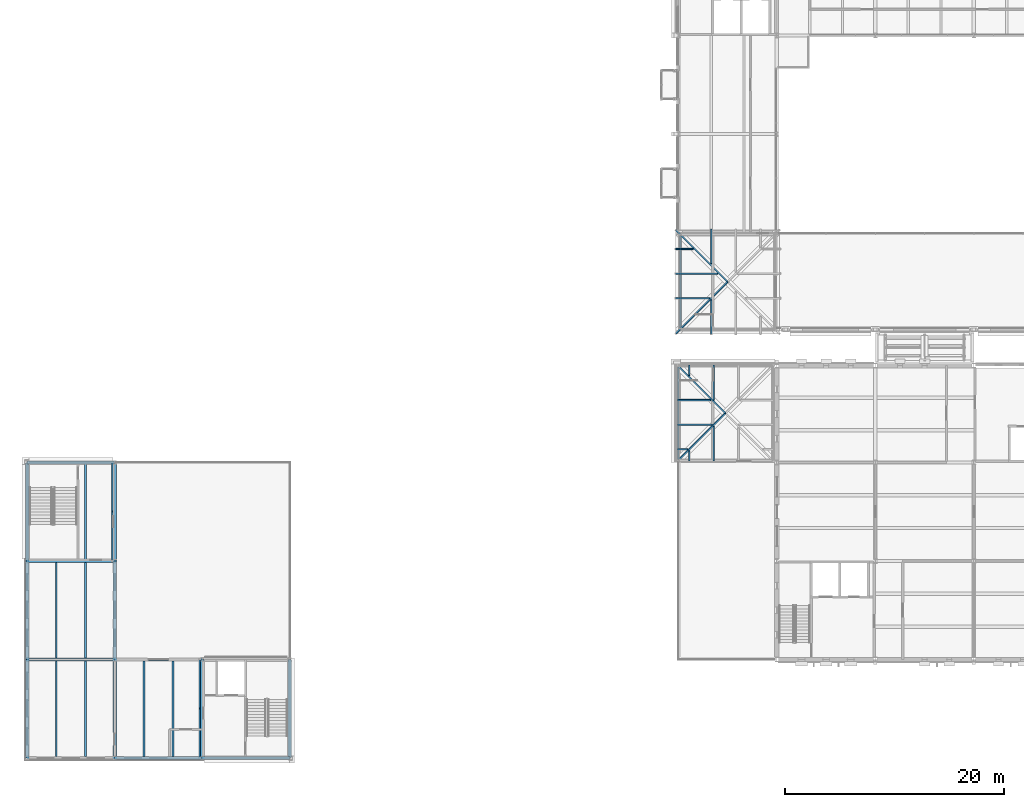
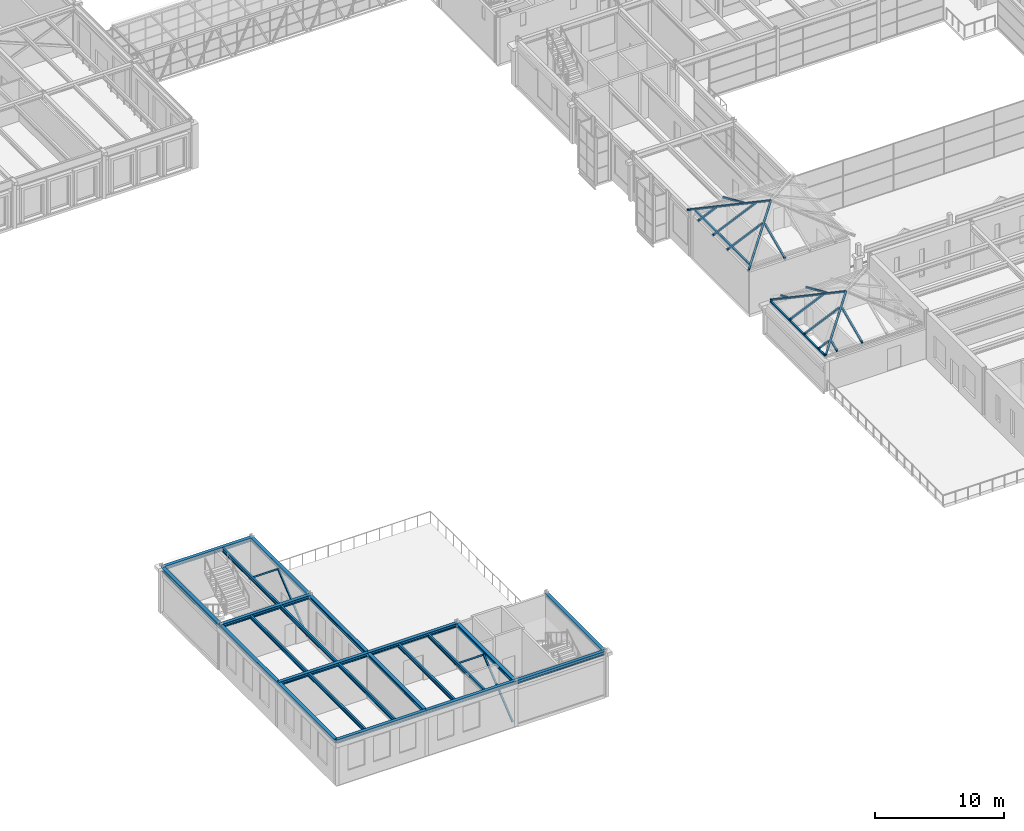
# One storey, part 14 of 149: 22 beams, 22 members.
"""IFC4 building model written with IfcOpenShell, lengths in metres."""

import ifcopenshell
import ifcopenshell.guid

model = None  # the IFC model being written
_history = None  # IfcOwnerHistory: only IFC2X3 demands one
_inside = {}  # id of a spatial element -> (the spatial element, [elements in it])
_under = {}  # id of a project, library or spatial element -> (it, [spatial elements below it])
_declared = {}  # id of a project -> (the project, [libraries it declares])
_typed = {}  # id of a type object -> (the type object, [elements of that type])
_made_of = {}  # id of a material, layer set ... -> (it, [elements and type objects made of it])


def new_model(schema):
    """Start an empty IFC model of exactly this schema.

    Asked for "IFC4X3", IfcOpenShell would pick the latest addendum, in which some entities
    have other attributes; the version numbers below select the first issue.
    IFC2X3 requires an IfcOwnerHistory on every rooted entity: one is made here for all.
    """
    global model, _history
    if schema == "IFC4X3":
        model = ifcopenshell.file(schema_version=(4, 3, 0, 0))
    else:
        model = ifcopenshell.file(schema=schema)
    _inside.clear()
    _under.clear()
    _declared.clear()
    _typed.clear()
    _made_of.clear()
    _history = None
    if model.schema == "IFC2X3":
        org = make("IfcOrganization", Name="unknown")
        user = make(
            "IfcPersonAndOrganization",
            ThePerson=make("IfcPerson", FamilyName="unknown"),
            TheOrganization=org,
        )
        app = make(
            "IfcApplication",
            ApplicationDeveloper=org,
            Version="unknown",
            ApplicationFullName="unknown",
            ApplicationIdentifier="unknown",
        )
        _history = make(
            "IfcOwnerHistory",
            OwningUser=user,
            OwningApplication=app,
            ChangeAction="ADDED",
            CreationDate=0,
        )
    return model


def make(cls, **values):
    """One entity of the class cls with the attributes given. An attribute that is None is left unset."""
    return model.create_entity(
        cls, **{name: value for name, value in values.items() if value is not None}
    )


def rooted(cls, **values):
    """An entity with a GlobalId (a new one), such as an element, a storey or a relation."""
    return make(cls, GlobalId=ifcopenshell.guid.new(), OwnerHistory=_history, **values)


def si_unit(unit_type, name, prefix=None):
    """IfcSIUnit, for example si_unit("LENGTHUNIT", "METRE", prefix="MILLI")."""
    return make("IfcSIUnit", UnitType=unit_type, Prefix=prefix, Name=name)


def assignment(units):
    """IfcUnitAssignment: the units of a project."""
    return None if units is None else make("IfcUnitAssignment", Units=units)


def point(xyz):
    """IfcCartesianPoint."""
    return None if xyz is None else make("IfcCartesianPoint", Coordinates=xyz)


def direction(xyz):
    """IfcDirection."""
    return None if xyz is None else make("IfcDirection", DirectionRatios=xyz)


def frame(location, z_axis=None, x_axis=None):
    """IfcAxis2Placement3D, a coordinate frame: its origin and axes. An axis left out is left unset."""
    return make(
        "IfcAxis2Placement3D",
        Location=point(location),
        Axis=direction(z_axis),
        RefDirection=direction(x_axis),
    )


def frame_2d(location, x_axis=None):
    """IfcAxis2Placement2D, a coordinate frame in the plane: its origin and x axis."""
    return make(
        "IfcAxis2Placement2D", Location=point(location), RefDirection=direction(x_axis)
    )


def origin():
    """The frame at (0, 0, 0) with its axes left unset."""
    return frame((0.0, 0.0, 0.0))


def origin_2d():
    """The frame at (0, 0) in the plane with its x axis left unset."""
    return frame_2d((0.0, 0.0))


def place(relative_to, where):
    """IfcLocalPlacement: puts the frame where relative to a parent placement (None: the world)."""
    return make(
        "IfcLocalPlacement", PlacementRelTo=relative_to, RelativePlacement=where
    )


def context(
    kind, dimensions, precision=None, world=None, true_north=None, identifier=None
):
    """IfcGeometricRepresentationContext, for example the 3D "Model" context."""
    return make(
        "IfcGeometricRepresentationContext",
        ContextIdentifier=identifier,
        ContextType=kind,
        CoordinateSpaceDimension=dimensions,
        Precision=precision,
        WorldCoordinateSystem=world,
        TrueNorth=true_north,
    )


def subcontext(parent, identifier, kind, view, scale=None):
    """IfcGeometricRepresentationSubContext, for example "Body" below "Model"."""
    return make(
        "IfcGeometricRepresentationSubContext",
        ContextIdentifier=identifier,
        ContextType=kind,
        ParentContext=parent,
        TargetScale=scale,
        TargetView=view,
    )


def project(units=None, contexts=None):
    """IfcProject with its units and contexts."""
    return rooted(
        "IfcProject",
        Name="project",
        RepresentationContexts=contexts,
        UnitsInContext=assignment(units),
    )


def spatial(cls, under=None, at=None, **own):
    """A site, building, storey or space (cls), placed at a placement, below another one or the project."""
    s = rooted(cls, ObjectPlacement=at, **own)
    if under is not None:
        _under.setdefault(under.id(), (under, []))[1].append(s)
    return s


def profile(cls, at=None, kind="AREA", **sizes):
    """A parametric profile (cls). Its sizes go by their IFC names, for example OverallWidth=200.0."""
    return make(cls, ProfileType=kind, Position=at, **sizes)


def hollow_rectangle(**sizes):
    """IfcRectangleHollowProfileDef."""
    return profile("IfcRectangleHollowProfileDef", **sizes)


def i_section(**sizes):
    """IfcIShapeProfileDef."""
    return profile("IfcIShapeProfileDef", **sizes)


def extrude(swept, where, along, depth):
    """IfcExtrudedAreaSolid: the profile swept, set in the frame where, extruded along a direction by depth."""
    return make(
        "IfcExtrudedAreaSolid",
        SweptArea=swept,
        Position=where,
        ExtrudedDirection=direction(along),
        Depth=depth,
    )


def shape(context_of_items, identifier, shape_type, items):
    """IfcShapeRepresentation: the items that make up one representation, for example the "Body"."""
    return make(
        "IfcShapeRepresentation",
        ContextOfItems=context_of_items,
        RepresentationIdentifier=identifier,
        RepresentationType=shape_type,
        Items=items,
    )


def material(Name=None, Category=None):
    """IfcMaterial."""
    return make("IfcMaterial", Name=Name, Category=Category)


def material_profile(
    of_material, cross_section, Name=None, Category=None, Priority=None
):
    """IfcMaterialProfile: a cross section and its material."""
    return make(
        "IfcMaterialProfile",
        Name=Name,
        Material=of_material,
        Profile=cross_section,
        Priority=Priority,
        Category=Category,
    )


def profile_set(profiles, Name=None, composite=None):
    """IfcMaterialProfileSet."""
    return make(
        "IfcMaterialProfileSet",
        Name=Name,
        MaterialProfiles=profiles,
        CompositeProfile=composite,
    )


def made_of(thing, what):
    """Note that an element or type object is made of a material, layer set ...; save() writes the relation."""
    if what is not None:
        _made_of.setdefault(what.id(), (what, []))[1].append(thing)
    return thing


def type_object(cls, material=None, **own):
    """A type object (cls), such as IfcWallType, which elements share."""
    return made_of(rooted(cls, **own), material)


def element(
    cls,
    number,
    at=None,
    inside=None,
    cuts=None,
    type_object=None,
    material=None,
    context=None,
    identifier="Body",
    shape_type=None,
    held_by="IfcProductDefinitionShape",
    body=None,
    shapes=None,
    **own,
):
    """One element of the class cls, such as IfcWall. Its Tag is "e" and its number.

    at: its placement. inside: the storey or other place that contains it. cuts: it is an
    opening in that element (IfcRelVoidsElement). A single representation is given by context,
    identifier, shape_type and body (its items); several are given by shapes. held_by: the class
    of the entity that holds the representations. save() writes the other relations.
    """
    e = rooted(cls, Tag="e%d" % number, ObjectPlacement=at, **own)
    if body is not None:
        shapes = [shape(context, identifier, shape_type, body)]
    if shapes is not None:
        e.Representation = make(held_by, Representations=shapes)
    if inside is not None:
        _inside.setdefault(inside.id(), (inside, []))[1].append(e)
    if cuts is not None:
        rooted(
            "IfcRelVoidsElement", RelatingBuildingElement=cuts, RelatedOpeningElement=e
        )
    if type_object is not None:
        _typed.setdefault(type_object.id(), (type_object, []))[1].append(e)
    return made_of(e, material)


def aggregate(whole, parts):
    """IfcRelAggregates: a whole, such as a stair, and the parts it consists of."""
    return rooted("IfcRelAggregates", RelatingObject=whole, RelatedObjects=parts)


def save(model, path):
    """Write the relations noted so far, then the file.

    IfcRelAggregates (storeys below a building ...), IfcRelContainedInSpatialStructure (elements
    in a storey), IfcRelDefinesByType, IfcRelAssociatesMaterial and IfcRelDeclares: one each for
    every whole, place, type object, material and project.
    """
    for whole, parts in _under.values():
        aggregate(whole, parts)
    for where, things in _inside.values():
        rooted(
            "IfcRelContainedInSpatialStructure",
            RelatedElements=things,
            RelatingStructure=where,
        )
    for kind, things in _typed.values():
        rooted("IfcRelDefinesByType", RelatedObjects=things, RelatingType=kind)
    for what, things in _made_of.values():
        rooted("IfcRelAssociatesMaterial", RelatedObjects=things, RelatingMaterial=what)
    for by, libraries in _declared.values():
        rooted("IfcRelDeclares", RelatingContext=by, RelatedDefinitions=libraries)
    model.write(path)


model = new_model("IFC4")

# Units and contexts
model_context = context("Model", 3, precision=1e-05, world=origin(), true_north=direction((0.0, 1.0)))
body_context = subcontext(model_context, "Body", "Model", "MODEL_VIEW")
ifc_project = project(units=[si_unit("LENGTHUNIT", "METRE"), si_unit("AREAUNIT", "SQUARE_METRE"), si_unit("VOLUMEUNIT", "CUBIC_METRE"), si_unit("PLANEANGLEUNIT", "RADIAN"), si_unit("MASSUNIT", "GRAM", prefix="KILO")], contexts=[model_context])

# Site, building, storey
site_placement = place(None, origin())
site = spatial("IfcSite", under=ifc_project, at=site_placement, CompositionType="ELEMENT")
building_placement = place(site_placement, origin())
building = spatial("IfcBuilding", under=site, at=building_placement, Name="Kallimachos Central Library", CompositionType="ELEMENT")
storey_placement = place(building_placement, frame((0.0, 0.0, 9.89990234375)))
storey = spatial("IfcBuildingStorey", under=building, at=storey_placement, Name="L02", CompositionType="ELEMENT", Elevation=9.89990234375)

# Beams
ifc_material_1 = material(Name="Steel S355J2", Category="steel")
ifc_material_profile_1 = material_profile(ifc_material_1, i_section(OverallWidth=0.300048828125, OverallDepth=0.340087890625, WebThickness=0.011962890625, FlangeThickness=0.021484375, FilletRadius=0.027099609375, at=origin_2d()), Name="HEB 340")
ifc_profile_set_1 = profile_set([ifc_material_profile_1], Name="Steel S355J2")
beam_type_1 = type_object("IfcBeamType", Name="HEB 340 beam", PredefinedType="BEAM", material=ifc_profile_set_1)
beam_1_placement = place(storey_placement, frame((6.0, 9.0, 4.130126953125), z_axis=(0.0, 1.0, 0.0), x_axis=(-1.0, 0.0, 0.0)))
element("IfcBeam", 1, at=beam_1_placement, inside=storey, type_object=beam_type_1, Name="V6-BEM-L02-001", PredefinedType="BEAM", context=body_context, shape_type="SweptSolid", body=[
    extrude(i_section(OverallWidth=0.300048828125, OverallDepth=0.340087890625, WebThickness=0.011962890625, FlangeThickness=0.021484375, FilletRadius=0.027099609375, at=origin_2d()), origin(), (0.0, 0.0, 1.0), 9.0),
])
beam_2_placement = place(storey_placement, frame((6.0, 9.0, 4.130126953125), z_axis=(1.0, 0.0, 0.0), x_axis=(0.0, 1.0, 0.0)))
element("IfcBeam", 2, at=beam_2_placement, inside=storey, type_object=beam_type_1, Name="V6-BEM-L02-002", PredefinedType="BEAM", context=body_context, shape_type="SweptSolid", body=[
    extrude(i_section(OverallWidth=0.300048828125, OverallDepth=0.340087890625, WebThickness=0.011962890625, FlangeThickness=0.021484375, FilletRadius=0.027099609375, at=origin_2d()), origin(), (0.0, 0.0, 1.0), 8.0),
])
beam_3_placement = place(storey_placement, frame((6.0, 18.0, 4.130126953125), z_axis=(0.0, 1.0, 0.0), x_axis=(-1.0, 0.0, 0.0)))
element("IfcBeam", 3, at=beam_3_placement, inside=storey, type_object=beam_type_1, Name="V6-BEM-L02-003", PredefinedType="BEAM", context=body_context, shape_type="SweptSolid", body=[
    extrude(i_section(OverallWidth=0.300048828125, OverallDepth=0.340087890625, WebThickness=0.011962890625, FlangeThickness=0.021484375, FilletRadius=0.027099609375, at=origin_2d()), origin(), (0.0, 0.0, 1.0), 9.0),
])
beam_4_placement = place(storey_placement, frame((6.0, 18.0, 4.130126953125), z_axis=(1.0, 0.0, 0.0), x_axis=(0.0, 1.0, 0.0)))
element("IfcBeam", 4, at=beam_4_placement, inside=storey, type_object=beam_type_1, Name="V6-BEM-L02-004", PredefinedType="BEAM", context=body_context, shape_type="SweptSolid", body=[
    extrude(i_section(OverallWidth=0.300048828125, OverallDepth=0.340087890625, WebThickness=0.011962890625, FlangeThickness=0.021484375, FilletRadius=0.027099609375, at=origin_2d()), origin(), (0.0, 0.0, 1.0), 8.0),
])
beam_5_placement = place(storey_placement, frame((6.0, 27.0, 4.130126953125), z_axis=(0.0, 1.0, 0.0), x_axis=(-1.0, 0.0, 0.0)))
element("IfcBeam", 5, at=beam_5_placement, inside=storey, type_object=beam_type_1, Name="V6-BEM-L02-005", PredefinedType="BEAM", context=body_context, shape_type="SweptSolid", body=[
    extrude(i_section(OverallWidth=0.300048828125, OverallDepth=0.340087890625, WebThickness=0.011962890625, FlangeThickness=0.021484375, FilletRadius=0.027099609375, at=origin_2d()), origin(), (0.0, 0.0, 1.0), 9.0),
])
for number, where, z_axis, x_axis, name in (
    (6, (6.0, 27.0, 4.130126953125), (1.0, 0.0, 0.0), (0.0, 1.0, 0.0), "V6-BEM-L02-006"),
    (7, (6.0, 36.0, 4.130126953125), (1.0, 0.0, 0.0), (0.0, 1.0, 0.0), "V6-BEM-L02-007"),
):
    element("IfcBeam", number, at=place(storey_placement, frame(where, z_axis=z_axis, x_axis=x_axis)), inside=storey, type_object=beam_type_1, Name=name, PredefinedType="BEAM", context=body_context, shape_type="SweptSolid", body=[
        extrude(i_section(OverallWidth=0.300048828125, OverallDepth=0.340087890625, WebThickness=0.011962890625, FlangeThickness=0.021484375, FilletRadius=0.027099609375, at=origin_2d()), origin(), (0.0, 0.0, 1.0), 8.0),
    ])
beam_6_placement = place(storey_placement, frame((14.0, 9.0, 4.130126953125), z_axis=(0.0, 1.0, 0.0), x_axis=(-1.0, 0.0, 0.0)))
element("IfcBeam", 8, at=beam_6_placement, inside=storey, type_object=beam_type_1, Name="V6-BEM-L02-008", PredefinedType="BEAM", context=body_context, shape_type="SweptSolid", body=[
    extrude(i_section(OverallWidth=0.300048828125, OverallDepth=0.340087890625, WebThickness=0.011962890625, FlangeThickness=0.021484375, FilletRadius=0.027099609375, at=origin_2d()), origin(), (0.0, 0.0, 1.0), 9.0),
])
beam_7_placement = place(storey_placement, frame((14.0, 9.0, 4.130126953125), z_axis=(1.0, 0.0, 0.0), x_axis=(0.0, 1.0, 0.0)))
element("IfcBeam", 9, at=beam_7_placement, inside=storey, type_object=beam_type_1, Name="V6-BEM-L02-009", PredefinedType="BEAM", context=body_context, shape_type="SweptSolid", body=[
    extrude(i_section(OverallWidth=0.300048828125, OverallDepth=0.340087890625, WebThickness=0.011962890625, FlangeThickness=0.021484375, FilletRadius=0.027099609375, at=origin_2d()), origin(), (0.0, 0.0, 1.0), 8.0),
])
beam_8_placement = place(storey_placement, frame((14.0, 18.0, 4.130126953125), z_axis=(0.0, 1.0, 0.0), x_axis=(-1.0, 0.0, 0.0)))
element("IfcBeam", 10, at=beam_8_placement, inside=storey, type_object=beam_type_1, Name="V6-BEM-L02-010", PredefinedType="BEAM", context=body_context, shape_type="SweptSolid", body=[
    extrude(i_section(OverallWidth=0.300048828125, OverallDepth=0.340087890625, WebThickness=0.011962890625, FlangeThickness=0.021484375, FilletRadius=0.027099609375, at=origin_2d()), origin(), (0.0, 0.0, 1.0), 9.0),
])
beam_9_placement = place(storey_placement, frame((14.0, 18.0, 4.130126953125), z_axis=(1.0, 0.0, 0.0), x_axis=(0.0, 1.0, 0.0)))
element("IfcBeam", 11, at=beam_9_placement, inside=storey, type_object=beam_type_1, Name="V6-BEM-L02-011", PredefinedType="BEAM", context=body_context, shape_type="SweptSolid", body=[
    extrude(i_section(OverallWidth=0.300048828125, OverallDepth=0.340087890625, WebThickness=0.011962890625, FlangeThickness=0.021484375, FilletRadius=0.027099609375, at=origin_2d()), origin(), (0.0, 0.0, 1.0), 8.0),
])
for number, where, z_axis, x_axis, name in (
    (12, (14.0, 27.0, 4.130126953125), (0.0, 1.0, 0.0), (-1.0, 0.0, 0.0), "V6-BEM-L02-012"),
    (13, (22.0, 9.0, 4.130126953125), (0.0, 1.0, 0.0), (-1.0, 0.0, 0.0), "V6-BEM-L02-013"),
):
    element("IfcBeam", number, at=place(storey_placement, frame(where, z_axis=z_axis, x_axis=x_axis)), inside=storey, type_object=beam_type_1, Name=name, PredefinedType="BEAM", context=body_context, shape_type="SweptSolid", body=[
        extrude(i_section(OverallWidth=0.300048828125, OverallDepth=0.340087890625, WebThickness=0.011962890625, FlangeThickness=0.021484375, FilletRadius=0.027099609375, at=origin_2d()), origin(), (0.0, 0.0, 1.0), 9.0),
    ])
beam_10_placement = place(storey_placement, frame((22.0, 9.0, 4.130126953125), z_axis=(1.0, 0.0, 0.0), x_axis=(0.0, 1.0, 0.0)))
element("IfcBeam", 14, at=beam_10_placement, inside=storey, type_object=beam_type_1, Name="V6-BEM-L02-014", PredefinedType="BEAM", context=body_context, shape_type="SweptSolid", body=[
    extrude(i_section(OverallWidth=0.300048828125, OverallDepth=0.340087890625, WebThickness=0.011962890625, FlangeThickness=0.021484375, FilletRadius=0.027099609375, at=origin_2d()), origin(), (0.0, 0.0, 1.0), 8.0),
])
beam_11_placement = place(storey_placement, frame((30.0, 9.0, 4.130126953125), z_axis=(0.0, 1.0, 0.0), x_axis=(-1.0, 0.0, 0.0)))
element("IfcBeam", 15, at=beam_11_placement, inside=storey, type_object=beam_type_1, Name="V6-BEM-L02-015", PredefinedType="BEAM", context=body_context, shape_type="SweptSolid", body=[
    extrude(i_section(OverallWidth=0.300048828125, OverallDepth=0.340087890625, WebThickness=0.011962890625, FlangeThickness=0.021484375, FilletRadius=0.027099609375, at=origin_2d()), origin(), (0.0, 0.0, 1.0), 9.0),
])
ifc_material_2 = material(Name="Steel S355J2", Category="steel")
ifc_material_profile_2 = material_profile(ifc_material_2, i_section(OverallWidth=0.169921875, OverallDepth=0.360107421875, WebThickness=0.008056640625, FlangeThickness=0.0126953125, FilletRadius=0.01806640625, at=origin_2d()), Name="IPE 360")
ifc_profile_set_2 = profile_set([ifc_material_profile_2], Name="Steel S355J2")
beam_type_2 = type_object("IfcBeamType", Name="IPE 360 beam", PredefinedType="BEAM", material=ifc_profile_set_2)
for number, where, z_axis, x_axis, name in (
    (16, (8.666748046875, 9.14990234375, 4.1201171875), (0.0, 1.0, 0.0), (-1.0, 0.0, 0.0), "V6-BEM-L02-016"),
    (17, (11.333251953125, 9.14990234375, 4.1201171875), (0.0, 1.0, 0.0), (-1.0, 0.0, 0.0), "V6-BEM-L02-017"),
    (18, (8.666748046875, 18.14990234375, 4.1201171875), (0.0, 1.0, 0.0), (-1.0, 0.0, 0.0), "V6-BEM-L02-018"),
    (19, (11.333251953125, 18.14990234375, 4.1201171875), (0.0, 1.0, 0.0), (-1.0, 0.0, 0.0), "V6-BEM-L02-019"),
    (20, (11.333251953125, 27.14990234375, 4.1201171875), (0.0, 1.0, 0.0), (-1.0, 0.0, 0.0), "V6-BEM-L02-020"),
    (21, (16.666748046875, 9.14990234375, 4.1201171875), (0.0, 1.0, 0.0), (-1.0, 0.0, 0.0), "V6-BEM-L02-021"),
    (22, (19.333251953125, 9.14990234375, 4.1201171875), (0.0, 1.0, 0.0), (-1.0, 0.0, 0.0), "V6-BEM-L02-022"),
):
    element("IfcBeam", number, at=place(storey_placement, frame(where, z_axis=z_axis, x_axis=x_axis)), inside=storey, type_object=beam_type_2, Name=name, PredefinedType="BEAM", context=body_context, shape_type="SweptSolid", body=[
        extrude(i_section(OverallWidth=0.169921875, OverallDepth=0.360107421875, WebThickness=0.008056640625, FlangeThickness=0.0126953125, FilletRadius=0.01806640625, at=origin_2d()), origin(), (0.0, 0.0, 1.0), 8.7001953125),
    ])

# Members
ifc_material_3 = material(Name="Steel S355J2H", Category="steel")
ifc_material_profile_3 = material_profile(ifc_material_3, hollow_rectangle(XDim=0.14990234375, YDim=0.14990234375, WallThickness=0.010009765625, InnerFilletRadius=0.010009765625, OuterFilletRadius=0.014892578125, at=origin_2d()), Name="SHS 150x150x10")
ifc_profile_set_3 = profile_set([ifc_material_profile_3], Name="Steel S355J2H")
member_type_1 = type_object("IfcMemberType", Name="SHS 150x150x10 brace", PredefinedType="BRACE", material=ifc_profile_set_3)
for number, where, z_axis, x_axis, name in (
    (23, (21.77490234375, 9.0, 0.400146484375), (0.0, 0.776649887184, 0.629932498557), (-1.0, 0.0, 0.0), "V6-MEM-L02-001"),
    (24, (21.77490234375, 18.0, 0.400146484375), (0.0, -0.776649887184, 0.629932498557), (1.0, 0.0, 0.0), "V6-MEM-L02-002"),
    (25, (13.77490234375, 27.0, 0.400146484375), (0.0, 0.776649887184, 0.629932498557), (-1.0, 0.0, 0.0), "V6-MEM-L02-003"),
    (26, (13.77490234375, 36.0, 0.400146484375), (0.0, -0.776649887184, 0.629932498557), (1.0, 0.0, 0.0), "V6-MEM-L02-004"),
):
    element("IfcMember", number, at=place(storey_placement, frame(where, z_axis=z_axis, x_axis=x_axis)), inside=storey, type_object=member_type_1, Name=name, PredefinedType="BRACE", context=body_context, shape_type="SweptSolid", body=[
        extrude(hollow_rectangle(XDim=0.14990234375, YDim=0.14990234375, WallThickness=0.010009765625, InnerFilletRadius=0.010009765625, OuterFilletRadius=0.014892578125, at=origin_2d()), origin(), (0.0, 0.0, 1.0), 5.794189453125),
    ])
ifc_material_4 = material(Name="Steel S355J2H", Category="steel")
ifc_material_profile_4 = material_profile(ifc_material_4, hollow_rectangle(XDim=0.14990234375, YDim=0.14990234375, WallThickness=0.010009765625, InnerFilletRadius=0.010009765625, OuterFilletRadius=0.014892578125, at=origin_2d()), Name="SHS 150x150x10")
ifc_profile_set_4 = profile_set([ifc_material_profile_4], Name="Steel S355J2H")
member_type_2 = type_object("IfcMemberType", Name="SHS 150x150x10 eaves bearer", PredefinedType="STRINGER", material=ifc_profile_set_4)
for number, where, z_axis, x_axis, name in (
    (27, (65.5, 36.27490234375, 3.22509765625), (0.0, 1.0, 0.0), (-1.0, 0.0, 0.0), "West stair hipped roof eaves bearer W"),
    (28, (65.699951171875, 48.27490234375, 4.47509765625), (0.0, 1.0, 0.0), (-1.0, 0.0, 0.0), "Head-house roof V4-SW eaves bearer W"),
):
    element("IfcMember", number, at=place(storey_placement, frame(where, z_axis=z_axis, x_axis=x_axis)), inside=storey, type_object=member_type_2, Name=name, PredefinedType="STRINGER", context=body_context, shape_type="SweptSolid", body=[
        extrude(hollow_rectangle(XDim=0.14990234375, YDim=0.14990234375, WallThickness=0.010009765625, InnerFilletRadius=0.010009765625, OuterFilletRadius=0.014892578125, at=origin_2d()), origin(), (0.0, 0.0, 1.0), 8.4501953125),
    ])
ifc_material_5 = material(Name="Steel S355J2H", Category="steel")
ifc_material_profile_5 = material_profile(ifc_material_5, hollow_rectangle(XDim=0.14990234375, YDim=0.14990234375, WallThickness=0.010009765625, InnerFilletRadius=0.010009765625, OuterFilletRadius=0.014892578125, at=origin_2d()), Name="SHS 150x150x10")
ifc_profile_set_5 = profile_set([ifc_material_profile_5], Name="Steel S355J2H")
member_type_3 = type_object("IfcMemberType", Name="SHS 150x150x10 rafter", PredefinedType="RAFTER", material=ifc_profile_set_5)
member_1_placement = place(storey_placement, frame((66.5, 36.14990234375, 3.35986328125), z_axis=(0.0, 0.913528388119, 0.406774979688), x_axis=(-1.0, 0.0, 0.0)))
element("IfcMember", 29, at=member_1_placement, inside=storey, type_object=member_type_3, Name="West stair hipped roof rafter", PredefinedType="RAFTER", context=body_context, shape_type="SweptSolid", body=[
    extrude(hollow_rectangle(XDim=0.14990234375, YDim=0.14990234375, WallThickness=0.010009765625, InnerFilletRadius=0.010009765625, OuterFilletRadius=0.014892578125, at=origin_2d()), origin(), (0.0, 0.0, 1.0), 0.996337890625),
])
member_2_placement = place(storey_placement, frame((68.75, 36.14990234375, 3.35986328125), z_axis=(0.0, 0.913546509307, 0.40673428099), x_axis=(-1.0, 0.0, 0.0)))
element("IfcMember", 30, at=member_2_placement, inside=storey, type_object=member_type_3, Name="West stair hipped roof rafter", PredefinedType="RAFTER", context=body_context, shape_type="SweptSolid", body=[
    extrude(hollow_rectangle(XDim=0.14990234375, YDim=0.14990234375, WallThickness=0.010009765625, InnerFilletRadius=0.010009765625, OuterFilletRadius=0.014892578125, at=origin_2d()), origin(), (0.0, 0.0, 1.0), 3.459228515625),
])
member_3_placement = place(storey_placement, frame((66.5, 44.85009765625, 3.35986328125), z_axis=(0.0, -0.913528388119, 0.406774979688), x_axis=(1.0, 0.0, 0.0)))
element("IfcMember", 31, at=member_3_placement, inside=storey, type_object=member_type_3, Name="West stair hipped roof rafter", PredefinedType="RAFTER", context=body_context, shape_type="SweptSolid", body=[
    extrude(hollow_rectangle(XDim=0.14990234375, YDim=0.14990234375, WallThickness=0.010009765625, InnerFilletRadius=0.010009765625, OuterFilletRadius=0.014892578125, at=origin_2d()), origin(), (0.0, 0.0, 1.0), 0.996337890625),
])
member_4_placement = place(storey_placement, frame((68.75, 44.85009765625, 3.35986328125), z_axis=(0.0, -0.913546509307, 0.40673428099), x_axis=(1.0, 0.0, 0.0)))
element("IfcMember", 32, at=member_4_placement, inside=storey, type_object=member_type_3, Name="West stair hipped roof rafter", PredefinedType="RAFTER", context=body_context, shape_type="SweptSolid", body=[
    extrude(hollow_rectangle(XDim=0.14990234375, YDim=0.14990234375, WallThickness=0.010009765625, InnerFilletRadius=0.010009765625, OuterFilletRadius=0.014892578125, at=origin_2d()), origin(), (0.0, 0.0, 1.0), 3.459228515625),
])
member_5_placement = place(storey_placement, frame((65.449951171875, 37.199951171875, 3.35986328125), z_axis=(0.913528388119, 0.0, 0.406774979688), x_axis=(0.0, 1.0, 0.0)))
element("IfcMember", 33, at=member_5_placement, inside=storey, type_object=member_type_3, Name="West stair hipped roof rafter", PredefinedType="RAFTER", context=body_context, shape_type="SweptSolid", body=[
    extrude(hollow_rectangle(XDim=0.14990234375, YDim=0.14990234375, WallThickness=0.010009765625, InnerFilletRadius=0.010009765625, OuterFilletRadius=0.014892578125, at=origin_2d()), origin(), (0.0, 0.0, 1.0), 0.996337890625),
])
member_6_placement = place(storey_placement, frame((65.449951171875, 39.449951171875, 3.35986328125), z_axis=(0.913546509307, 0.0, 0.40673428099), x_axis=(0.0, 1.0, 0.0)))
element("IfcMember", 34, at=member_6_placement, inside=storey, type_object=member_type_3, Name="West stair hipped roof rafter", PredefinedType="RAFTER", context=body_context, shape_type="SweptSolid", body=[
    extrude(hollow_rectangle(XDim=0.14990234375, YDim=0.14990234375, WallThickness=0.010009765625, InnerFilletRadius=0.010009765625, OuterFilletRadius=0.014892578125, at=origin_2d()), origin(), (0.0, 0.0, 1.0), 3.459228515625),
])
member_7_placement = place(storey_placement, frame((65.449951171875, 41.699951171875, 3.35986328125), z_axis=(0.913551637558, 0.0, 0.406722762475), x_axis=(0.0, 1.0, 0.0)))
element("IfcMember", 35, at=member_7_placement, inside=storey, type_object=member_type_3, Name="West stair hipped roof rafter", PredefinedType="RAFTER", context=body_context, shape_type="SweptSolid", body=[
    extrude(hollow_rectangle(XDim=0.14990234375, YDim=0.14990234375, WallThickness=0.010009765625, InnerFilletRadius=0.010009765625, OuterFilletRadius=0.014892578125, at=origin_2d()), origin(), (0.0, 0.0, 1.0), 3.294921875),
])
for number, where, z_axis, x_axis, name in (
    (36, (68.5, 47.699951171875, 4.40966796875), (0.0, 0.913572732443, 0.406675377343), (-1.0, 0.0, 0.0), "Head-house roof V4-SW rafter"),
    (37, (68.5, 57.300048828125, 4.40966796875), (0.0, -0.913572732443, 0.406675377343), (1.0, 0.0, 0.0), "Head-house roof V4-SW rafter"),
    (38, (65.199951171875, 51.0, 4.40966796875), (0.913572732443, 0.0, 0.406675377343), (0.0, 1.0, 0.0), "Head-house roof V4-SW rafter"),
):
    element("IfcMember", number, at=place(storey_placement, frame(where, z_axis=z_axis, x_axis=x_axis)), inside=storey, type_object=member_type_3, Name=name, PredefinedType="RAFTER", context=body_context, shape_type="SweptSolid", body=[
        extrude(hollow_rectangle(XDim=0.14990234375, YDim=0.14990234375, WallThickness=0.010009765625, InnerFilletRadius=0.010009765625, OuterFilletRadius=0.014892578125, at=origin_2d()), origin(), (0.0, 0.0, 1.0), 3.459228515625),
    ])
member_8_placement = place(storey_placement, frame((65.199951171875, 53.25, 4.40966796875), z_axis=(0.913562044368, 0.0, 0.406699386635), x_axis=(0.0, 1.0, 0.0)))
element("IfcMember", 39, at=member_8_placement, inside=storey, type_object=member_type_3, Name="Head-house roof V4-SW rafter", PredefinedType="RAFTER", context=body_context, shape_type="SweptSolid", body=[
    extrude(hollow_rectangle(XDim=0.14990234375, YDim=0.14990234375, WallThickness=0.010009765625, InnerFilletRadius=0.010009765625, OuterFilletRadius=0.014892578125, at=origin_2d()), origin(), (0.0, 0.0, 1.0), 4.280029296875),
])
member_9_placement = place(storey_placement, frame((65.199951171875, 55.5, 4.40966796875), z_axis=(0.913573164334, 0.0, 0.406674407123), x_axis=(0.0, 1.0, 0.0)))
element("IfcMember", 40, at=member_9_placement, inside=storey, type_object=member_type_3, Name="Head-house roof V4-SW rafter", PredefinedType="RAFTER", context=body_context, shape_type="SweptSolid", body=[
    extrude(hollow_rectangle(XDim=0.14990234375, YDim=0.14990234375, WallThickness=0.010009765625, InnerFilletRadius=0.010009765625, OuterFilletRadius=0.014892578125, at=origin_2d()), origin(), (0.0, 0.0, 1.0), 1.817138671875),
])
ifc_material_6 = material(Name="Steel S355J2H", Category="steel")
ifc_material_profile_6 = material_profile(ifc_material_6, hollow_rectangle(XDim=0.14990234375, YDim=0.14990234375, WallThickness=0.010009765625, InnerFilletRadius=0.010009765625, OuterFilletRadius=0.014892578125, at=origin_2d()), Name="SHS 150x150x10")
ifc_profile_set_6 = profile_set([ifc_material_profile_6], Name="Steel S355J2H")
member_type_4 = type_object("IfcMemberType", Name="SHS 200x200x10 hip rafter", PredefinedType="RAFTER", material=ifc_profile_set_6)
for number, where, z_axis, x_axis, name in (
    (41, (65.5, 36.199951171875, 3.33203125), (0.674477760092, 0.674477760092, 0.300265719462), (-0.707106781187, 0.707106781187, 0.0), "West stair hipped roof hip"),
    (42, (65.5, 44.800048828125, 3.33203125), (0.674477760092, -0.674477760092, 0.300265719462), (0.707106781187, 0.707106781187, 0.0), "West stair hipped roof hip"),
):
    element("IfcMember", number, at=place(storey_placement, frame(where, z_axis=z_axis, x_axis=x_axis)), inside=storey, type_object=member_type_4, Name=name, PredefinedType="RAFTER", context=body_context, shape_type="SweptSolid", body=[
        extrude(hollow_rectangle(XDim=0.14990234375, YDim=0.14990234375, WallThickness=0.010009765625, InnerFilletRadius=0.010009765625, OuterFilletRadius=0.014892578125, at=origin_2d()), origin(), (0.0, 0.0, 1.0), 6.37548828125),
    ])
for number, where, z_axis, x_axis, name in (
    (43, (65.25, 47.75, 4.381591796875), (0.674474048899, 0.674474048899, 0.300282391631), (-0.707106781187, 0.707106781187, 0.0), "Head-house roof V4-SW hip"),
    (44, (65.25, 57.25, 4.381591796875), (0.674474048899, -0.674474048899, 0.300282391631), (0.707106781187, 0.707106781187, 0.0), "Head-house roof V4-SW hip"),
):
    element("IfcMember", number, at=place(storey_placement, frame(where, z_axis=z_axis, x_axis=x_axis)), inside=storey, type_object=member_type_4, Name=name, PredefinedType="RAFTER", context=body_context, shape_type="SweptSolid", body=[
        extrude(hollow_rectangle(XDim=0.14990234375, YDim=0.14990234375, WallThickness=0.010009765625, InnerFilletRadius=0.010009765625, OuterFilletRadius=0.014892578125, at=origin_2d()), origin(), (0.0, 0.0, 1.0), 7.04248046875),
    ])

save(model, "model.ifc")
